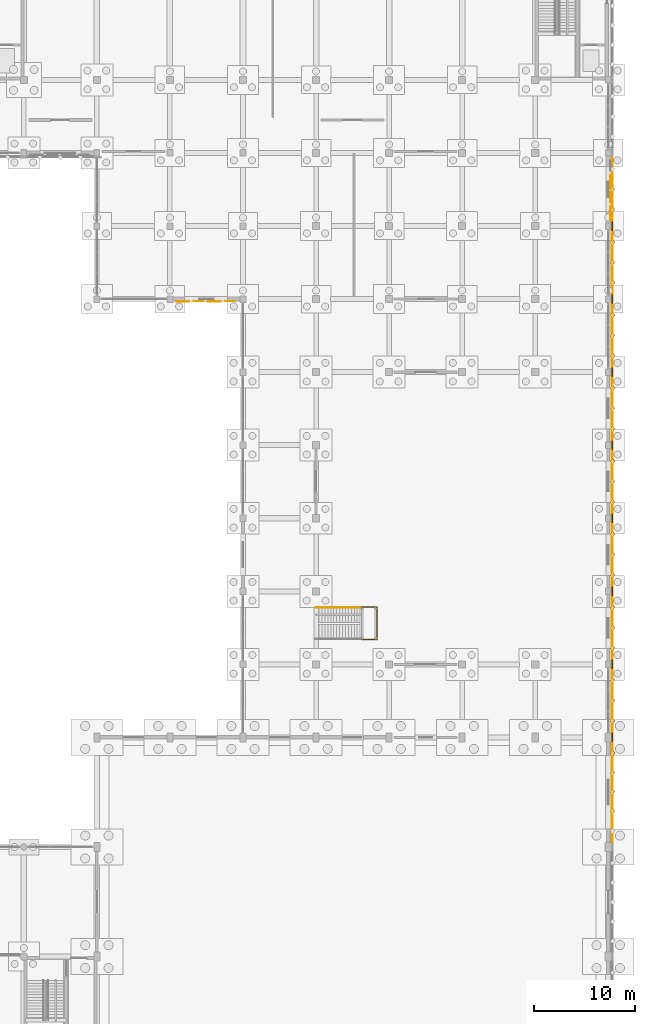
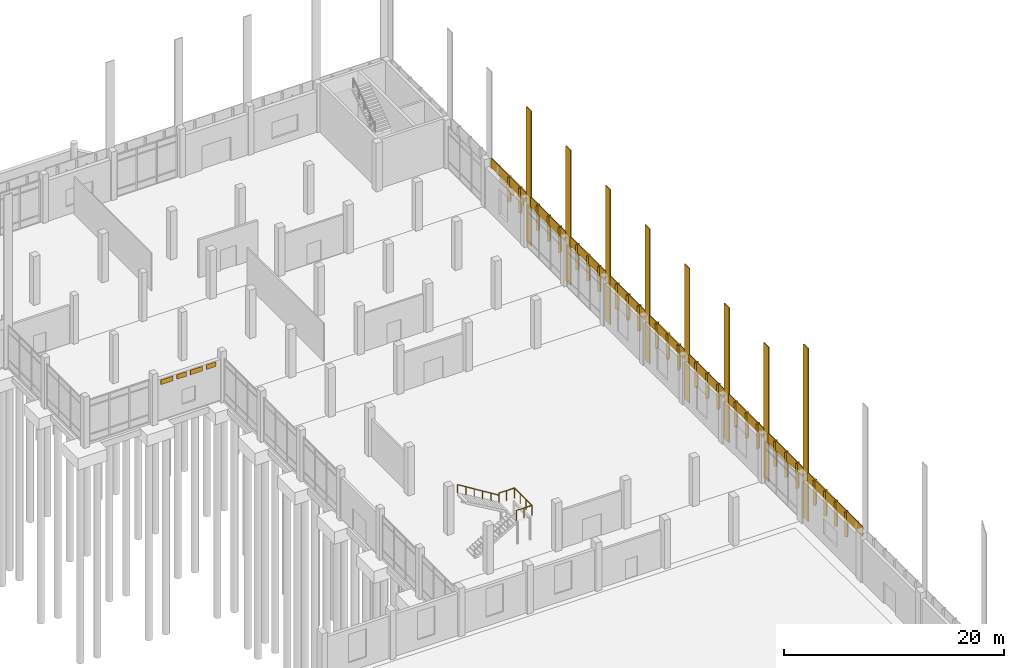
# One storey, part 107 of 109: 51 coverings, 2 railings.
"""IFC4 building model written with IfcOpenShell, lengths in metres."""

from ifc_helpers import new_model, si_unit, direction, frame, origin, origin_2d, place, context, subcontext, project, spatial, rectangle, circle, extrude, material, layer, layer_set, type_object, element, save


model = new_model("IFC4")

# Units and contexts
model_context = context("Model", 3, precision=1e-05, world=origin(), true_north=direction((0.0, 1.0)))
body_context = subcontext(model_context, "Body", "Model", "MODEL_VIEW")
ifc_project = project(units=[si_unit("LENGTHUNIT", "METRE"), si_unit("AREAUNIT", "SQUARE_METRE"), si_unit("VOLUMEUNIT", "CUBIC_METRE"), si_unit("PLANEANGLEUNIT", "RADIAN"), si_unit("MASSUNIT", "GRAM", prefix="KILO")], contexts=[model_context])

# Site, building, storey
site_placement = place(None, origin())
site = spatial("IfcSite", under=ifc_project, at=site_placement, CompositionType="ELEMENT")
building_placement = place(site_placement, origin())
building = spatial("IfcBuilding", under=site, at=building_placement, Name="Lusvemor Sports Hall", CompositionType="ELEMENT")
storey_placement = place(building_placement, origin())
storey = spatial("IfcBuildingStorey", under=building, at=storey_placement, Name="L00", CompositionType="ELEMENT", Elevation=0.0)

# Coverings
ifc_material_1 = material(Name="Precast granite-faced Concrete C40/50 architectural cladding", Category="masonry")
ifc_layer_1 = layer(ifc_material_1, 0.055908203125)
ifc_layer_set_1 = layer_set([ifc_layer_1], Name="Precast granite-faced Concrete C40/50 architectural cladding")
covering_type_1 = type_object("IfcCoveringType", Name="CLAD_RELIEF_FRIEZE", PredefinedType="CLADDING", material=ifc_layer_set_1)
covering_1_placement = place(storey_placement, frame((169.610107421875, 39.60009765625, 0.0), z_axis=(0.0, 0.0, 1.0), x_axis=(1.0, 0.0, 0.0)))
element("IfcCovering", 1, at=covering_1_placement, inside=storey, type_object=covering_type_1, Name="Art Nouveau Pilaster Cladding Casing 261", PredefinedType="CLADDING", context=body_context, shape_type="SweptSolid", body=[
    extrude(rectangle(XDim=0.10009765625, YDim=0.8798828125, at=origin_2d()), origin(), (0.0, 0.0, 1.0), 19.199951171875),
])
for number, where, z_axis, x_axis, name in (
    (2, (169.610107421875, 46.800048828125, 0.0), (0.0, 0.0, 1.0), (1.0, 0.0, 0.0), "Art Nouveau Pilaster Cladding Casing 351"),
    (3, (169.610107421875, 54.0, 0.0), (0.0, 0.0, 1.0), (1.0, 0.0, 0.0), "Art Nouveau Pilaster Cladding Casing 352"),
    (4, (169.610107421875, 61.199951171875, 0.0), (0.0, 0.0, 1.0), (1.0, 0.0, 0.0), "Art Nouveau Pilaster Cladding Casing 353"),
    (5, (169.610107421875, 68.39990234375, 0.0), (0.0, 0.0, 1.0), (1.0, 0.0, 0.0), "Art Nouveau Pilaster Cladding Casing 354"),
    (6, (169.610107421875, 75.60009765625, 0.0), (0.0, 0.0, 1.0), (1.0, 0.0, 0.0), "Art Nouveau Pilaster Cladding Casing 355"),
    (7, (169.610107421875, 82.800048828125, 0.0), (0.0, 0.0, 1.0), (1.0, 0.0, 0.0), "Art Nouveau Pilaster Cladding Casing 356"),
    (8, (169.610107421875, 90.0, 0.0), (0.0, 0.0, 1.0), (1.0, 0.0, 0.0), "Art Nouveau Pilaster Cladding Casing 430"),
):
    element("IfcCovering", number, at=place(storey_placement, frame(where, z_axis=z_axis, x_axis=x_axis)), inside=storey, type_object=covering_type_1, Name=name, PredefinedType="CLADDING", context=body_context, shape_type="SweptSolid", body=[
        extrude(rectangle(XDim=0.10009765625, YDim=0.8798828125, at=origin_2d()), origin(), (0.0, 0.0, 1.0), 15.0),
    ])
ifc_material_2 = material(Name="Emerald polychrome glazed ceramic cladding on Concrete C40/50 backing", Category="concrete")
ifc_layer_2 = layer(ifc_material_2, 0.0458984375)
ifc_layer_set_2 = layer_set([ifc_layer_2], Name="Emerald polychrome glazed ceramic cladding on Concrete C40/50 backing")
covering_type_2 = type_object("IfcCoveringType", Name="CLAD_WAVE_EMERALD", PredefinedType="CLADDING", material=ifc_layer_set_2)
for number, where, z_axis, x_axis, name in (
    (9, (169.41796875, 91.27490234375, 3.9150390625), (0.0, 0.0, 1.0), (1.0, 0.0, 0.0), "Art Nouveau Patterned Cladding PS-EW-L00-E-2-1-1"),
    (10, (169.41796875, 94.375, 3.9150390625), (0.0, 0.0, 1.0), (1.0, 0.0, 0.0), "Art Nouveau Patterned Cladding PS-EW-L00-E-2-1-3"),
):
    element("IfcCovering", number, at=place(storey_placement, frame(where, z_axis=z_axis, x_axis=x_axis)), inside=storey, type_object=covering_type_2, Name=name, PredefinedType="CLADDING", context=body_context, shape_type="SweptSolid", body=[
        extrude(rectangle(XDim=0.0458984375, YDim=1.27099609375, at=origin_2d()), origin(), (0.0, 0.0, 1.0), 0.510009765625),
    ])
for number, where, z_axis, x_axis, name in (
    (11, (127.27490234375, 82.58203125, 3.9150390625), (0.0, 0.0, 1.0), (1.0, 0.0, 0.0), "Art Nouveau Patterned Cladding PS-EW-L00-S-5-1-1"),
    (12, (130.375, 82.58203125, 3.9150390625), (0.0, 0.0, 1.0), (1.0, 0.0, 0.0), "Art Nouveau Patterned Cladding PS-EW-L00-S-5-1-3"),
):
    element("IfcCovering", number, at=place(storey_placement, frame(where, z_axis=z_axis, x_axis=x_axis)), inside=storey, type_object=covering_type_2, Name=name, PredefinedType="CLADDING", context=body_context, shape_type="SweptSolid", body=[
        extrude(rectangle(XDim=1.27099609375, YDim=0.0458984375, at=origin_2d()), origin(), (0.0, 0.0, 1.0), 0.510009765625),
    ])
for number, where, z_axis, x_axis, name in (
    (13, (169.639892578125, 32.280029296875, 2.550048828125), (0.0, 0.0, 1.0), (0.707106781187, 0.707106781187, 0.0), "Patterned Diamond Cladding Rib 328"),
    (14, (169.639892578125, 36.1201171875, 2.550048828125), (0.0, 0.0, 1.0), (0.707106781187, 0.707106781187, 0.0), "Patterned Diamond Cladding Rib 330"),
    (15, (169.639892578125, 43.199951171875, 2.550048828125), (0.0, 0.0, 1.0), (0.707106781187, 0.707106781187, 0.0), "Patterned Diamond Cladding Rib 359"),
    (16, (169.639892578125, 50.39990234375, 2.550048828125), (0.0, 0.0, 1.0), (0.707106781187, 0.707106781187, 0.0), "Patterned Diamond Cladding Rib 371"),
    (17, (169.639892578125, 57.60009765625, 2.550048828125), (0.0, 0.0, 1.0), (0.707106781187, 0.707106781187, 0.0), "Patterned Diamond Cladding Rib 383"),
    (18, (169.639892578125, 64.800048828125, 2.550048828125), (0.0, 0.0, 1.0), (0.707106781187, 0.707106781187, 0.0), "Patterned Diamond Cladding Rib 395"),
    (19, (169.639892578125, 72.0, 2.550048828125), (0.0, 0.0, 1.0), (0.707106781187, 0.707106781187, 0.0), "Patterned Diamond Cladding Rib 407"),
    (20, (169.639892578125, 79.199951171875, 2.550048828125), (0.0, 0.0, 1.0), (0.707106781187, 0.707106781187, 0.0), "Patterned Diamond Cladding Rib 419"),
    (21, (169.639892578125, 86.39990234375, 2.550048828125), (0.0, 0.0, 1.0), (0.707106781187, 0.707106781187, 0.0), "Patterned Diamond Cladding Rib 436"),
    (22, (169.639892578125, 93.60009765625, 2.550048828125), (0.0, 0.0, 1.0), (0.707106781187, 0.707106781187, 0.0), "Patterned Diamond Cladding Rib 448"),
):
    element("IfcCovering", number, at=place(storey_placement, frame(where, z_axis=z_axis, x_axis=x_axis)), inside=storey, type_object=covering_type_2, Name=name, PredefinedType="CLADDING", context=body_context, shape_type="SweptSolid", body=[
        extrude(rectangle(XDim=0.3798828125, YDim=0.280029296875, at=origin_2d()), origin(), (0.0, 0.0, 1.0), 2.75),
    ])
ifc_material_3 = material(Name="Warm terracotta Art Nouveau ceramic cladding on Concrete C40/50 backing", Category="masonry")
ifc_layer_3 = layer(ifc_material_3, 0.0380859375)
ifc_layer_set_3 = layer_set([ifc_layer_3], Name="Warm terracotta Art Nouveau ceramic cladding on Concrete C40/50 backing")
covering_type_3 = type_object("IfcCoveringType", Name="CLAD_WAVE_OCHRE", PredefinedType="CLADDING", material=ifc_layer_set_3)
covering_2_placement = place(storey_placement, frame((169.4140625, 92.824951171875, 3.9150390625), z_axis=(0.0, 0.0, 1.0), x_axis=(1.0, 0.0, 0.0)))
element("IfcCovering", 23, at=covering_2_placement, inside=storey, type_object=covering_type_3, Name="Art Nouveau Patterned Cladding PS-EW-L00-E-2-1-2", PredefinedType="CLADDING", context=body_context, shape_type="SweptSolid", body=[
    extrude(rectangle(XDim=0.0380859375, YDim=0.991943359375, at=origin_2d()), origin(), (0.0, 0.0, 1.0), 0.510009765625),
])
for number, where, z_axis, x_axis, name in (
    (24, (128.824951171875, 82.5859375, 3.9150390625), (0.0, 0.0, 1.0), (1.0, 0.0, 0.0), "Art Nouveau Patterned Cladding PS-EW-L00-S-5-1-2"),
    (25, (131.925048828125, 82.5859375, 3.9150390625), (0.0, 0.0, 1.0), (1.0, 0.0, 0.0), "Art Nouveau Patterned Cladding PS-EW-L00-S-5-1-4"),
):
    element("IfcCovering", number, at=place(storey_placement, frame(where, z_axis=z_axis, x_axis=x_axis)), inside=storey, type_object=covering_type_3, Name=name, PredefinedType="CLADDING", context=body_context, shape_type="SweptSolid", body=[
        extrude(rectangle(XDim=0.991943359375, YDim=0.0380859375, at=origin_2d()), origin(), (0.0, 0.0, 1.0), 0.510009765625),
    ])
covering_3_placement = place(storey_placement, frame((169.590087890625, 34.199951171875, 4.3798828125), z_axis=(0.0, 0.0, 1.0), x_axis=(1.0, 0.0, 0.0)))
element("IfcCovering", 26, at=covering_3_placement, inside=storey, type_object=covering_type_3, Name="Art Nouveau Spandrel Cornice 326", PredefinedType="CLADDING", context=body_context, shape_type="SweptSolid", body=[
    extrude(rectangle(XDim=0.090087890625, YDim=9.97998046875, at=origin_2d()), origin(), (0.0, 0.0, 1.0), 1.080078125),
])
for number, where, z_axis, x_axis, name in (
    (27, (169.590087890625, 43.199951171875, 4.3798828125), (0.0, 0.0, 1.0), (1.0, 0.0, 0.0), "Art Nouveau Spandrel Cornice 357"),
    (28, (169.590087890625, 50.39990234375, 4.3798828125), (0.0, 0.0, 1.0), (1.0, 0.0, 0.0), "Art Nouveau Spandrel Cornice 369"),
    (29, (169.590087890625, 57.60009765625, 4.3798828125), (0.0, 0.0, 1.0), (1.0, 0.0, 0.0), "Art Nouveau Spandrel Cornice 381"),
    (30, (169.590087890625, 64.800048828125, 4.3798828125), (0.0, 0.0, 1.0), (1.0, 0.0, 0.0), "Art Nouveau Spandrel Cornice 393"),
    (31, (169.590087890625, 72.0, 4.3798828125), (0.0, 0.0, 1.0), (1.0, 0.0, 0.0), "Art Nouveau Spandrel Cornice 405"),
    (32, (169.590087890625, 79.199951171875, 4.3798828125), (0.0, 0.0, 1.0), (1.0, 0.0, 0.0), "Art Nouveau Spandrel Cornice 417"),
    (33, (169.590087890625, 86.39990234375, 4.3798828125), (0.0, 0.0, 1.0), (1.0, 0.0, 0.0), "Art Nouveau Spandrel Cornice 434"),
    (34, (169.590087890625, 93.60009765625, 4.3798828125), (0.0, 0.0, 1.0), (1.0, 0.0, 0.0), "Art Nouveau Spandrel Cornice 446"),
):
    element("IfcCovering", number, at=place(storey_placement, frame(where, z_axis=z_axis, x_axis=x_axis)), inside=storey, type_object=covering_type_3, Name=name, PredefinedType="CLADDING", context=body_context, shape_type="SweptSolid", body=[
        extrude(rectangle(XDim=0.090087890625, YDim=6.3798828125, at=origin_2d()), origin(), (0.0, 0.0, 1.0), 1.080078125),
    ])
ifc_material_4 = material(Name="Warm terracotta Art Nouveau ceramic cladding on Concrete C40/50 backing", Category="masonry")
ifc_layer_4 = layer(ifc_material_4, 0.449951171875)
ifc_layer_set_4 = layer_set([ifc_layer_4], Name="Warm terracotta Art Nouveau ceramic cladding on Concrete C40/50 backing")
covering_type_4 = type_object("IfcCoveringType", Name="FIN_BRISE_CER_450", PredefinedType="MOLDING", material=ifc_layer_set_4)
for number, where, z_axis, x_axis, name in (
    (35, (169.639892578125, 34.199951171875, 2.550048828125), (0.0, 0.0, 1.0), (0.707106781187, 0.707106781187, 0.0), "Patterned Diamond Cladding Rib 329"),
    (36, (169.639892578125, 38.0400390625, 2.550048828125), (0.0, 0.0, 1.0), (0.707106781187, 0.707106781187, 0.0), "Patterned Diamond Cladding Rib 331"),
    (37, (169.639892578125, 41.199951171875, 2.550048828125), (0.0, 0.0, 1.0), (0.707106781187, 0.707106781187, 0.0), "Patterned Diamond Cladding Rib 358"),
    (38, (169.639892578125, 45.199951171875, 2.550048828125), (0.0, 0.0, 1.0), (0.707106781187, 0.707106781187, 0.0), "Patterned Diamond Cladding Rib 360"),
    (39, (169.639892578125, 48.39990234375, 2.550048828125), (0.0, 0.0, 1.0), (0.707106781187, 0.707106781187, 0.0), "Patterned Diamond Cladding Rib 370"),
    (40, (169.639892578125, 52.39990234375, 2.550048828125), (0.0, 0.0, 1.0), (0.707106781187, 0.707106781187, 0.0), "Patterned Diamond Cladding Rib 372"),
    (41, (169.639892578125, 55.60009765625, 2.550048828125), (0.0, 0.0, 1.0), (0.707106781187, 0.707106781187, 0.0), "Patterned Diamond Cladding Rib 382"),
    (42, (169.639892578125, 59.60009765625, 2.550048828125), (0.0, 0.0, 1.0), (0.707106781187, 0.707106781187, 0.0), "Patterned Diamond Cladding Rib 384"),
    (43, (169.639892578125, 62.800048828125, 2.550048828125), (0.0, 0.0, 1.0), (0.707106781187, 0.707106781187, 0.0), "Patterned Diamond Cladding Rib 394"),
    (44, (169.639892578125, 66.800048828125, 2.550048828125), (0.0, 0.0, 1.0), (0.707106781187, 0.707106781187, 0.0), "Patterned Diamond Cladding Rib 396"),
    (45, (169.639892578125, 70.0, 2.550048828125), (0.0, 0.0, 1.0), (0.707106781187, 0.707106781187, 0.0), "Patterned Diamond Cladding Rib 406"),
    (46, (169.639892578125, 74.0, 2.550048828125), (0.0, 0.0, 1.0), (0.707106781187, 0.707106781187, 0.0), "Patterned Diamond Cladding Rib 408"),
    (47, (169.639892578125, 77.199951171875, 2.550048828125), (0.0, 0.0, 1.0), (0.707106781187, 0.707106781187, 0.0), "Patterned Diamond Cladding Rib 418"),
    (48, (169.639892578125, 81.199951171875, 2.550048828125), (0.0, 0.0, 1.0), (0.707106781187, 0.707106781187, 0.0), "Patterned Diamond Cladding Rib 420"),
    (49, (169.639892578125, 84.39990234375, 2.550048828125), (0.0, 0.0, 1.0), (0.707106781187, 0.707106781187, 0.0), "Patterned Diamond Cladding Rib 435"),
    (50, (169.639892578125, 88.39990234375, 2.550048828125), (0.0, 0.0, 1.0), (0.707106781187, 0.707106781187, 0.0), "Patterned Diamond Cladding Rib 437"),
    (51, (169.639892578125, 91.60009765625, 2.550048828125), (0.0, 0.0, 1.0), (0.707106781187, 0.707106781187, 0.0), "Patterned Diamond Cladding Rib 447"),
):
    element("IfcCovering", number, at=place(storey_placement, frame(where, z_axis=z_axis, x_axis=x_axis)), inside=storey, type_object=covering_type_4, Name=name, PredefinedType="MOLDING", context=body_context, shape_type="SweptSolid", body=[
        extrude(rectangle(XDim=0.3798828125, YDim=0.280029296875, at=origin_2d()), origin(), (0.0, 0.0, 1.0), 2.75),
    ])

# Railings
ifc_material_5 = material(Name="Bronze-finished wrought-steel Art Nouveau balustrade", Category="steel")
railing_type_1 = type_object("IfcRailingType", Name="RAIL_HANDRAIL_092", PredefinedType="HANDRAIL", material=ifc_material_5)
railing_1_placement = place(storey_placement, frame((144.75, 52.389892578125, 2.699951171875)))
element("IfcRailing", 52, at=railing_1_placement, inside=storey, type_object=railing_type_1, Name="STR-CLIMB-GAL Handrail F2", PredefinedType="HANDRAIL", context=body_context, shape_type="SweptSolid", body=[
    extrude(circle(Radius=0.02392578125, at=origin_2d()), frame((0.0, 0.0, 0.89599609375), z_axis=(-0.849649743971, 0.0, 0.527347430608), x_axis=(0.0, -1.0, 0.0)), (0.0, 0.0, 1.0), 5.119873046875),
    extrude(circle(Radius=0.02099609375, at=origin_2d()), origin(), (0.0, 0.0, 1.0), 0.871826171875),
    extrude(circle(Radius=0.02099609375, at=origin_2d()), frame((-0.8701171875, 0.0, 0.5400390625)), (0.0, 0.0, 1.0), 0.871826171875),
    extrude(circle(Radius=0.02099609375, at=origin_2d()), frame((-1.739990234375, 0.0, 1.080078125)), (0.0, 0.0, 1.0), 0.871826171875),
    extrude(circle(Radius=0.02099609375, at=origin_2d()), frame((-2.610107421875, 0.0, 1.619873046875)), (0.0, 0.0, 1.0), 0.871826171875),
    extrude(circle(Radius=0.02099609375, at=origin_2d()), frame((-3.47998046875, 0.0, 2.159912109375)), (0.0, 0.0, 1.0), 0.871826171875),
    extrude(circle(Radius=0.02099609375, at=origin_2d()), frame((-4.35009765625, 0.0, 2.699951171875)), (0.0, 0.0, 1.0), 0.871826171875),
])
ifc_material_6 = material(Name="Bronze-finished wrought-steel Art Nouveau balustrade", Category="steel")
railing_type_2 = type_object("IfcRailingType", Name="RAIL_STAIR_GUARD_112", PredefinedType="GUARDRAIL", material=ifc_material_6)
railing_2_placement = place(storey_placement, frame((144.75, 49.260009765625, 2.699951171875)))
element("IfcRailing", 53, at=railing_2_placement, inside=storey, type_object=railing_type_2, Name="STR-CLIMB-GAL Mid Guard", PredefinedType="GUARDRAIL", context=body_context, shape_type="SweptSolid", body=[
    extrude(circle(Radius=0.02392578125, at=origin_2d()), frame((0.0, 0.0, 1.09619140625), z_axis=(1.0, 0.0, 0.0), x_axis=(0.0, 1.0, 0.0)), (0.0, 0.0, 1.0), 1.639892578125),
    extrude(circle(Radius=0.02392578125, at=origin_2d()), frame((1.639892578125, 0.0, 1.09619140625), z_axis=(0.0, 1.0, 0.0), x_axis=(-1.0, 0.0, 0.0)), (0.0, 0.0, 1.0), 3.179931640625),
    extrude(circle(Radius=0.02392578125, at=origin_2d()), frame((1.639892578125, 3.179931640625, 1.09619140625), z_axis=(-1.0, 0.0, 0.0), x_axis=(0.0, -1.0, 0.0)), (0.0, 0.0, 1.0), 1.639892578125),
    extrude(circle(Radius=0.02099609375, at=origin_2d()), origin(), (0.0, 0.0, 1.0), 1.072021484375),
    extrude(circle(Radius=0.02099609375, at=origin_2d()), frame((0.81982421875, 0.0, 0.0)), (0.0, 0.0, 1.0), 1.072021484375),
    extrude(circle(Radius=0.02099609375, at=origin_2d()), frame((1.639892578125, 0.0, 0.0)), (0.0, 0.0, 1.0), 1.072021484375),
    extrude(circle(Radius=0.02099609375, at=origin_2d()), frame((1.639892578125, 1.06005859375, 0.0)), (0.0, 0.0, 1.0), 1.072021484375),
    extrude(circle(Radius=0.02099609375, at=origin_2d()), frame((1.639892578125, 2.119873046875, 0.0)), (0.0, 0.0, 1.0), 1.072021484375),
    extrude(circle(Radius=0.02099609375, at=origin_2d()), frame((1.639892578125, 3.179931640625, 0.0)), (0.0, 0.0, 1.0), 1.072021484375),
    extrude(circle(Radius=0.02099609375, at=origin_2d()), frame((0.81982421875, 3.179931640625, 0.0)), (0.0, 0.0, 1.0), 1.072021484375),
    extrude(circle(Radius=0.02099609375, at=origin_2d()), frame((0.0, 3.179931640625, 0.0)), (0.0, 0.0, 1.0), 1.072021484375),
])

save(model, "model.ifc")
